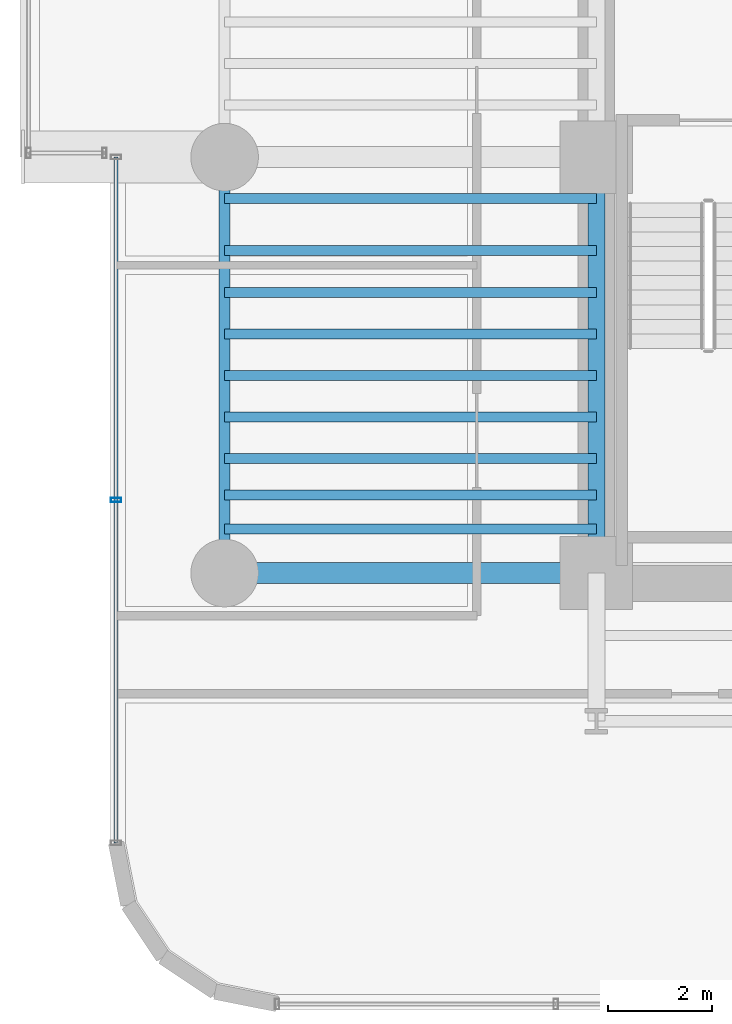
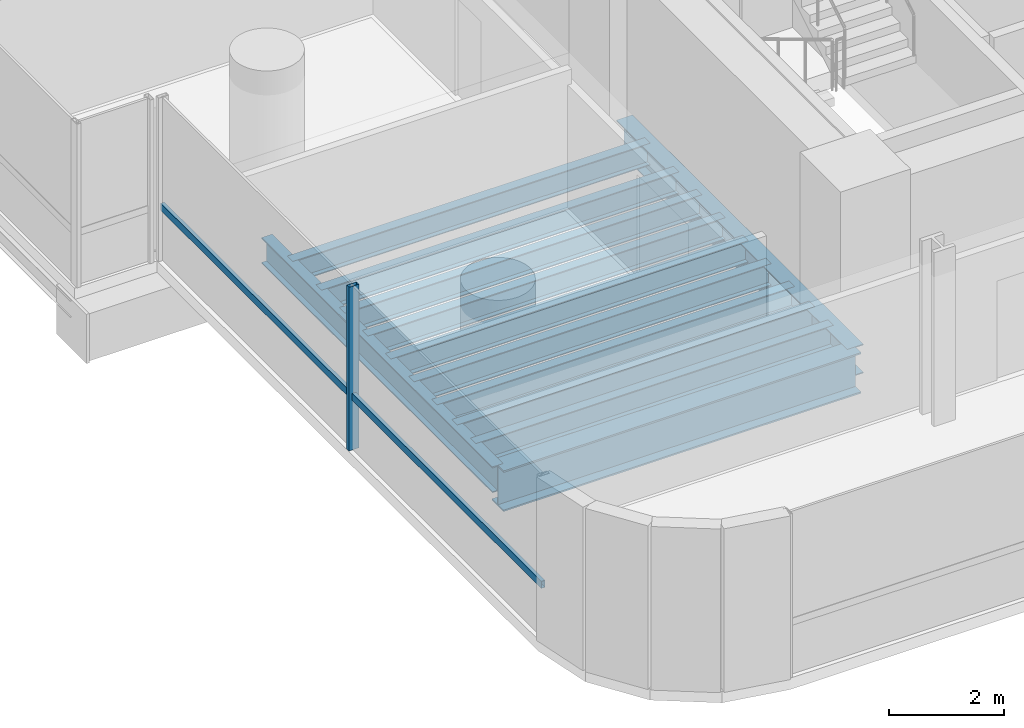
# One storey, part 4 of 39: 12 beams, 2 members, 1 element without a shape of its own.
"""IFC4 building model written with IfcOpenShell, lengths in metres."""

from ifc_helpers import new_model, si_unit, direction, frame, origin, origin_2d, place, context, subcontext, project, spatial, hollow_rectangle, i_section, extrude, source, transform, mapped, material, material_profile, profile_set, type_object, element, aggregate, save


model = new_model("IFC4")

# Units and contexts
model_context = context("Model", 3, precision=1e-05, world=origin(), true_north=direction((0.0, 1.0)))
body_context = subcontext(model_context, "Body", "Model", "MODEL_VIEW")
ifc_project = project(units=[si_unit("LENGTHUNIT", "METRE"), si_unit("AREAUNIT", "SQUARE_METRE"), si_unit("VOLUMEUNIT", "CUBIC_METRE"), si_unit("PLANEANGLEUNIT", "RADIAN"), si_unit("MASSUNIT", "GRAM", prefix="KILO")], contexts=[model_context])

# Site, building, storey
site_placement = place(None, origin())
site = spatial("IfcSite", under=ifc_project, at=site_placement, CompositionType="ELEMENT")
building_placement = place(site_placement, origin())
building = spatial("IfcBuilding", under=site, at=building_placement, Name="Valdorenza Pilgrim Sanctuary Tower", CompositionType="ELEMENT")
storey_placement = place(building_placement, frame((0.0, 0.0, 74.10009765625)))
storey = spatial("IfcBuildingStorey", under=building, at=storey_placement, Name="L18", CompositionType="ELEMENT", Elevation=74.10009765625)

# Beams
ifc_material_1 = material(Name="Steel ASTM A992 Grade 50", Category="steel")
ifc_material_profile_1 = material_profile(ifc_material_1, i_section(OverallWidth=0.214111328125, OverallDepth=0.549072265625, WebThickness=0.0146484375, FlangeThickness=0.023681640625, at=origin_2d()), Name="W21X93")
ifc_profile_set_1 = profile_set([ifc_material_profile_1], Name="Steel ASTM A992 Grade 50")
beam_type_1 = type_object("IfcBeamType", Name="STR-BM-SPN-W21A", PredefinedType="SPANDREL", material=ifc_profile_set_1)
shared_shape_1 = source(origin(), body_context, "Body", "SweptSolid", [
    extrude(i_section(OverallWidth=0.214111328125, OverallDepth=0.549072265625, WebThickness=0.0146484375, FlangeThickness=0.023681640625, at=origin_2d()), origin(), (0.0, 0.0, 1.0), 8.0),
])
beam_1_placement = place(storey_placement, frame((-29.800048828125, -10.60009765625, -0.5146484375), z_axis=(0.0, 1.0, 0.0), x_axis=(-1.0, 0.0, 0.0)))
element("IfcBeam", 1, at=beam_1_placement, inside=storey, type_object=beam_type_1, Name="L18 Spandrel Beam WA-W-S1M0", PredefinedType="SPANDREL", context=body_context, shape_type="MappedRepresentation", body=[
    mapped(shared_shape_1, transform((0.0, 0.0, 0.0), x_axis=(1.0, 0.0, 0.0), y_axis=(0.0, 1.0, 0.0), z_axis=(0.0, 0.0, 1.0), scale=1.0)),
])
ifc_material_profile_2 = material_profile(ifc_material_1, i_section(OverallWidth=0.323974609375, OverallDepth=0.611083984375, WebThickness=0.0126953125, FlangeThickness=0.01904296875, at=origin_2d()), Name="W24X104")
ifc_profile_set_2 = profile_set([ifc_material_profile_2], Name="Steel ASTM A992 Grade 50")
beam_type_2 = type_object("IfcBeamType", Name="STR-BM-GRD-W24B", PredefinedType="BEAM", material=ifc_profile_set_2)
shared_shape_2 = source(origin(), body_context, "Body", "SweptSolid", [
    extrude(i_section(OverallWidth=0.323974609375, OverallDepth=0.611083984375, WebThickness=0.0126953125, FlangeThickness=0.01904296875, at=origin_2d()), origin(), (0.0, 0.0, 1.0), 8.0),
])
beam_2_placement = place(storey_placement, frame((-22.64990234375, -10.60009765625, -0.545654296875), z_axis=(0.0, 1.0, 0.0), x_axis=(-1.0, 0.0, 0.0)))
element("IfcBeam", 2, at=beam_2_placement, inside=storey, type_object=beam_type_2, Name="L18 Core Tie Girder CA-W-S1M0", PredefinedType="BEAM", context=body_context, shape_type="MappedRepresentation", body=[
    mapped(shared_shape_2, transform((0.0, 0.0, 0.0), x_axis=(1.0, 0.0, 0.0), y_axis=(0.0, 1.0, 0.0), z_axis=(0.0, 0.0, 1.0), scale=1.0)),
])
ifc_material_profile_3 = material_profile(ifc_material_1, i_section(OverallWidth=0.193115234375, OverallDepth=0.466064453125, WebThickness=0.011474609375, FlangeThickness=0.01904296875, at=origin_2d()), Name="W18X65")
ifc_profile_set_3 = profile_set([ifc_material_profile_3], Name="Steel ASTM A992 Grade 50")
beam_type_3 = type_object("IfcBeamType", Name="STR-BM-JST-W18A", PredefinedType="JOIST", material=ifc_profile_set_3)
shared_shape_3 = source(origin(), body_context, "Body", "SweptSolid", [
    extrude(i_section(OverallWidth=0.193115234375, OverallDepth=0.466064453125, WebThickness=0.011474609375, FlangeThickness=0.01904296875, at=origin_2d()), origin(), (0.0, 0.0, 1.0), 7.150146484375),
])
for number, where, z_axis, x_axis, name in (
    (3, (-29.800048828125, -9.75, -0.47314453125), (1.0, 0.0, 0.0), (0.0, 1.0, 0.0), "L18 Composite Floor Joist JST-WA-1"),
    (4, (-29.800048828125, -9.10009765625, -0.47314453125), (1.0, 0.0, 0.0), (0.0, 1.0, 0.0), "L18 Composite Floor Joist JST-WA-2"),
    (5, (-29.800048828125, -8.39990234375, -0.47314453125), (1.0, 0.0, 0.0), (0.0, 1.0, 0.0), "L18 Composite Floor Joist JST-WA-3"),
    (6, (-29.800048828125, -7.60009765625, -0.47314453125), (1.0, 0.0, 0.0), (0.0, 1.0, 0.0), "L18 Composite Floor Joist JST-WA-4"),
    (7, (-29.800048828125, -6.800048828125, -0.47314453125), (1.0, 0.0, 0.0), (0.0, 1.0, 0.0), "L18 Composite Floor Joist JST-WA-5"),
    (8, (-29.800048828125, -6.0, -0.47314453125), (1.0, 0.0, 0.0), (0.0, 1.0, 0.0), "L18 Composite Floor Joist JST-WA-6"),
    (9, (-29.800048828125, -5.199951171875, -0.47314453125), (1.0, 0.0, 0.0), (0.0, 1.0, 0.0), "L18 Composite Floor Joist JST-WA-7"),
    (10, (-29.800048828125, -4.39990234375, -0.47314453125), (1.0, 0.0, 0.0), (0.0, 1.0, 0.0), "L18 Composite Floor Joist JST-WA-8"),
    (11, (-29.800048828125, -3.39990234375, -0.47314453125), (1.0, 0.0, 0.0), (0.0, 1.0, 0.0), "L18 Composite Floor Joist JST-WA-9"),
):
    element("IfcBeam", number, at=place(storey_placement, frame(where, z_axis=z_axis, x_axis=x_axis)), inside=storey, type_object=beam_type_3, Name=name, PredefinedType="JOIST", context=body_context, shape_type="MappedRepresentation", body=[
        mapped(shared_shape_3, transform((0.0, 0.0, 0.0), x_axis=(1.0, 0.0, 0.0), y_axis=(0.0, 1.0, 0.0), z_axis=(0.0, 0.0, 1.0), scale=1.0)),
    ])
ifc_material_profile_4 = material_profile(ifc_material_1, i_section(OverallWidth=0.39990234375, OverallDepth=0.862060546875, WebThickness=0.019775390625, FlangeThickness=0.032470703125, at=origin_2d()), Name="W33X221")
ifc_profile_set_4 = profile_set([ifc_material_profile_4], Name="Steel ASTM A992 Grade 50")
beam_type_4 = type_object("IfcBeamType", Name="STR-BM-GRD-W33", PredefinedType="BEAM", material=ifc_profile_set_4)
shared_shape_4 = source(origin(), body_context, "Body", "SweptSolid", [
    extrude(i_section(OverallWidth=0.39990234375, OverallDepth=0.862060546875, WebThickness=0.019775390625, FlangeThickness=0.032470703125, at=origin_2d()), origin(), (0.0, 0.0, 1.0), 7.150146484375),
])
beam_3_placement = place(storey_placement, frame((-29.800048828125, -10.60009765625, -0.671142578125), z_axis=(1.0, 0.0, 0.0), x_axis=(0.0, 1.0, 0.0)))
element("IfcBeam", 12, at=beam_3_placement, inside=storey, type_object=beam_type_4, Name="L18 Floor Girder WA-XW-S1", PredefinedType="BEAM", context=body_context, shape_type="MappedRepresentation", body=[
    mapped(shared_shape_4, transform((0.0, 0.0, 0.0), x_axis=(1.0, 0.0, 0.0), y_axis=(0.0, 1.0, 0.0), z_axis=(0.0, 0.0, 1.0), scale=1.0)),
])

# Curtain wall, members
ifc_material_2 = material(Name="Curtain-wall IGU glazing", Category="glass")
curtain_wall_type = type_object("IfcCurtainWallType", Name="CW-SYS-02", PredefinedType="NOTDEFINED", material=ifc_material_2)
curtain_wall_placement = place(storey_placement, origin())
curtain_wall = element("IfcCurtainWall", 13, at=curtain_wall_placement, inside=storey, type_object=curtain_wall_type, Name="L18 Curtain Wall CW-L18-1-1S1", PredefinedType="NOTDEFINED")
ifc_material_3 = material(Name="Anodised aluminium AW-6060", Category="aluminium")
ifc_material_profile_5 = material_profile(ifc_material_3, hollow_rectangle(XDim=0.0849609375, YDim=0.199951171875, WallThickness=0.0048828125, at=origin_2d()), Name="ALU-M 200x85x5")
ifc_profile_set_5 = profile_set([ifc_material_profile_5], Name="Anodised aluminium AW-6060")
member_type_1 = type_object("IfcMemberType", Name="CW-MUL-02", PredefinedType="MULLION", material=ifc_profile_set_5)
shared_shape_5 = source(origin(), body_context, "Body", "SweptSolid", [
    extrude(hollow_rectangle(XDim=0.0849609375, YDim=0.199951171875, WallThickness=0.0048828125, at=origin_2d()), origin(), (0.0, 0.0, 1.0), 3.4599609375),
])
member_1_placement = place(storey_placement, frame((-31.889892578125, -9.194580078125, 0.0), z_axis=(0.0, 0.0, 1.0), x_axis=(0.0, 1.0, 0.0)))
member_1 = element("IfcMember", 14, at=member_1_placement, type_object=member_type_1, Name="CW-L18-1-1S1 Mullion 2", PredefinedType="MULLION", context=body_context, shape_type="MappedRepresentation", body=[
    mapped(shared_shape_5, transform((0.0, 0.0, 0.0), x_axis=(1.0, 0.0, 0.0), y_axis=(0.0, 1.0, 0.0), z_axis=(0.0, 0.0, 1.0), scale=1.0)),
])
ifc_material_profile_6 = material_profile(ifc_material_3, hollow_rectangle(XDim=0.074951171875, YDim=0.14990234375, WallThickness=0.00390625, at=origin_2d()), Name="ALU-T 150x75x4")
ifc_profile_set_6 = profile_set([ifc_material_profile_6], Name="Anodised aluminium AW-6060")
member_type_2 = type_object("IfcMemberType", Name="CW-TRN-02", PredefinedType="USERDEFINED", material=ifc_profile_set_6)
shared_shape_6 = source(origin(), body_context, "Body", "SweptSolid", [
    extrude(hollow_rectangle(XDim=0.074951171875, YDim=0.14990234375, WallThickness=0.00390625, at=origin_2d()), origin(), (0.0, 0.0, 1.0), 13.189208984375),
])
member_2_placement = place(storey_placement, frame((-31.889892578125, -15.789306640625, 1.119873046875), z_axis=(0.0, 1.0, 0.0), x_axis=(-1.0, 0.0, 0.0)))
member_2 = element("IfcMember", 15, at=member_2_placement, type_object=member_type_2, Name="CW-L18-1-1S1 Transom 1", ObjectType="TRANSOM", PredefinedType="USERDEFINED", context=body_context, shape_type="MappedRepresentation", body=[
    mapped(shared_shape_6, transform((0.0, 0.0, 0.0), x_axis=(1.0, 0.0, 0.0), y_axis=(0.0, 1.0, 0.0), z_axis=(0.0, 0.0, 1.0), scale=1.0)),
])
aggregate(curtain_wall, [member_1, member_2])

save(model, "model.ifc")
